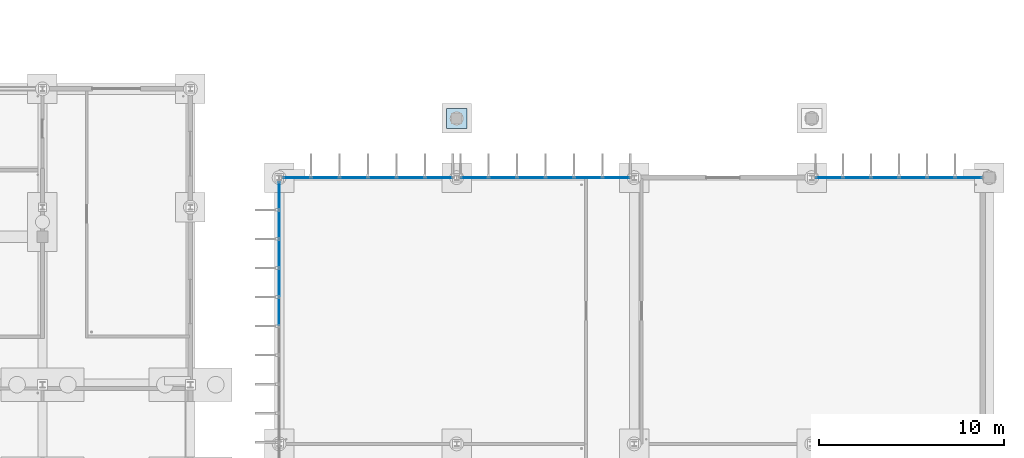
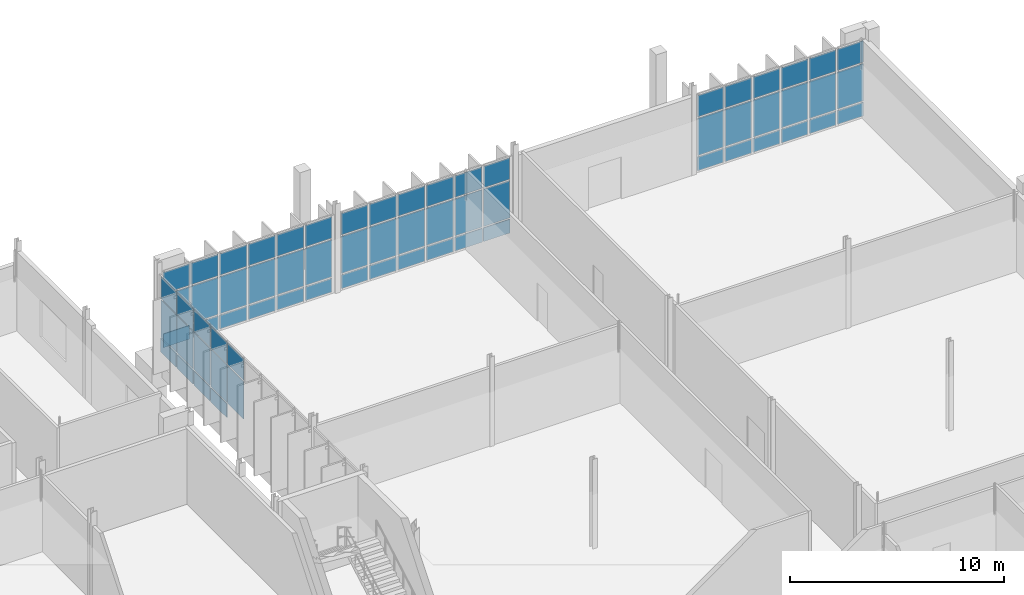
# One storey, part 50 of 111: 68 plates, 1 slab, 4 elements without a shape of their own.
"""IFC4 building model written with IfcOpenShell, lengths in metres."""

from ifc_helpers import new_model, si_unit, direction, frame, origin, origin_2d, place, context, subcontext, project, spatial, polyline, rectangle, outline, extrude, material, layer, layer_set, type_object, element, aggregate, save


model = new_model("IFC4")

# Units and contexts
model_context = context("Model", 3, precision=1e-05, world=origin(), true_north=direction((0.0, 1.0)))
body_context = subcontext(model_context, "Body", "Model", "MODEL_VIEW")
ifc_project = project(units=[si_unit("LENGTHUNIT", "METRE"), si_unit("AREAUNIT", "SQUARE_METRE"), si_unit("VOLUMEUNIT", "CUBIC_METRE"), si_unit("PLANEANGLEUNIT", "RADIAN"), si_unit("MASSUNIT", "GRAM", prefix="KILO")], contexts=[model_context])

# Site, building, storey
site_placement = place(None, origin())
site = spatial("IfcSite", under=ifc_project, at=site_placement, CompositionType="ELEMENT")
building_placement = place(site_placement, origin())
building = spatial("IfcBuilding", under=site, at=building_placement, Name="Dunescarp Central Library", CompositionType="ELEMENT")
storey_placement = place(building_placement, origin())
storey = spatial("IfcBuildingStorey", under=building, at=storey_placement, Name="L00", CompositionType="ELEMENT", Elevation=0.0)

# Curtain wall, plates
ifc_material_1 = material(Name="Marine-grade anodised aluminium 6063-T6", Category="aluminium")
curtain_wall_type = type_object("IfcCurtainWallType", Name="ARC-CW-STICK", PredefinedType="NOTDEFINED", material=ifc_material_1)
curtain_wall_1_placement = place(storey_placement, origin())
curtain_wall_1 = element("IfcCurtainWall", 1, at=curtain_wall_1_placement, inside=storey, type_object=curtain_wall_type, Name="L00 curtain wall CW-V5-149", PredefinedType="NOTDEFINED")
ifc_material_2 = material(Name="Solar-control laminated double glazing", Category="glass")
ifc_layer_1 = layer(ifc_material_2, 0.028076171875)
ifc_layer_set_1 = layer_set([ifc_layer_1], Name="Solar-control laminated double glazing")
plate_type_1 = type_object("IfcPlateType", Name="ARC-PLT-GLZ28", PredefinedType="CURTAIN_PANEL", material=ifc_layer_set_1)
plate_1_placement = place(storey_placement, frame((130.56591796875, 44.800048828125, 0.93994140625), z_axis=(0.0, 0.0, 1.0), x_axis=(1.0, 0.0, 0.0)))
plate_1 = element("IfcPlate", 2, at=plate_1_placement, type_object=plate_type_1, Name="CW-V5-149 panel 1.2", PredefinedType="CURTAIN_PANEL", context=body_context, shape_type="SweptSolid", body=[
    extrude(rectangle(XDim=1.421630859375, YDim=0.028076171875, at=origin_2d()), origin(), (0.0, 0.0, 1.0), 2.1201171875),
])
plate_2_placement = place(storey_placement, frame((130.56591796875, 44.800048828125, 3.14013671875), z_axis=(0.0, 0.0, 1.0), x_axis=(1.0, 0.0, 0.0)))
plate_2 = element("IfcPlate", 3, at=plate_2_placement, type_object=plate_type_1, Name="CW-V5-149 panel 1.3", PredefinedType="CURTAIN_PANEL", context=body_context, shape_type="SweptSolid", body=[
    extrude(rectangle(XDim=1.421630859375, YDim=0.028076171875, at=origin_2d()), origin(), (0.0, 0.0, 1.0), 1.221923828125),
])
plate_3_placement = place(storey_placement, frame((132.08740234375, 44.800048828125, 0.93994140625), z_axis=(0.0, 0.0, 1.0), x_axis=(1.0, 0.0, 0.0)))
plate_3 = element("IfcPlate", 4, at=plate_3_placement, type_object=plate_type_1, Name="CW-V5-149 panel 2.2", PredefinedType="CURTAIN_PANEL", context=body_context, shape_type="SweptSolid", body=[
    extrude(rectangle(XDim=1.461669921875, YDim=0.028076171875, at=origin_2d()), origin(), (0.0, 0.0, 1.0), 2.1201171875),
])
plate_4_placement = place(storey_placement, frame((132.08740234375, 44.800048828125, 3.14013671875), z_axis=(0.0, 0.0, 1.0), x_axis=(1.0, 0.0, 0.0)))
plate_4 = element("IfcPlate", 5, at=plate_4_placement, type_object=plate_type_1, Name="CW-V5-149 panel 2.3", PredefinedType="CURTAIN_PANEL", context=body_context, shape_type="SweptSolid", body=[
    extrude(rectangle(XDim=1.461669921875, YDim=0.028076171875, at=origin_2d()), origin(), (0.0, 0.0, 1.0), 1.221923828125),
])
plate_5_placement = place(storey_placement, frame((133.629150390625, 44.800048828125, 0.93994140625), z_axis=(0.0, 0.0, 1.0), x_axis=(1.0, 0.0, 0.0)))
plate_5 = element("IfcPlate", 6, at=plate_5_placement, type_object=plate_type_1, Name="CW-V5-149 panel 3.2", PredefinedType="CURTAIN_PANEL", context=body_context, shape_type="SweptSolid", body=[
    extrude(rectangle(XDim=1.461669921875, YDim=0.028076171875, at=origin_2d()), origin(), (0.0, 0.0, 1.0), 2.1201171875),
])
plate_6_placement = place(storey_placement, frame((133.629150390625, 44.800048828125, 3.14013671875), z_axis=(0.0, 0.0, 1.0), x_axis=(1.0, 0.0, 0.0)))
plate_6 = element("IfcPlate", 7, at=plate_6_placement, type_object=plate_type_1, Name="CW-V5-149 panel 3.3", PredefinedType="CURTAIN_PANEL", context=body_context, shape_type="SweptSolid", body=[
    extrude(rectangle(XDim=1.461669921875, YDim=0.028076171875, at=origin_2d()), origin(), (0.0, 0.0, 1.0), 1.221923828125),
])
plate_7_placement = place(storey_placement, frame((135.1708984375, 44.800048828125, 0.93994140625), z_axis=(0.0, 0.0, 1.0), x_axis=(1.0, 0.0, 0.0)))
plate_7 = element("IfcPlate", 8, at=plate_7_placement, type_object=plate_type_1, Name="CW-V5-149 panel 4.2", PredefinedType="CURTAIN_PANEL", context=body_context, shape_type="SweptSolid", body=[
    extrude(rectangle(XDim=1.461669921875, YDim=0.028076171875, at=origin_2d()), origin(), (0.0, 0.0, 1.0), 2.1201171875),
])
plate_8_placement = place(storey_placement, frame((135.1708984375, 44.800048828125, 3.14013671875), z_axis=(0.0, 0.0, 1.0), x_axis=(1.0, 0.0, 0.0)))
plate_8 = element("IfcPlate", 9, at=plate_8_placement, type_object=plate_type_1, Name="CW-V5-149 panel 4.3", PredefinedType="CURTAIN_PANEL", context=body_context, shape_type="SweptSolid", body=[
    extrude(rectangle(XDim=1.461669921875, YDim=0.028076171875, at=origin_2d()), origin(), (0.0, 0.0, 1.0), 1.221923828125),
])
plate_9_placement = place(storey_placement, frame((136.71240234375, 44.800048828125, 0.93994140625), z_axis=(0.0, 0.0, 1.0), x_axis=(1.0, 0.0, 0.0)))
plate_9 = element("IfcPlate", 10, at=plate_9_placement, type_object=plate_type_1, Name="CW-V5-149 panel 5.2", PredefinedType="CURTAIN_PANEL", context=body_context, shape_type="SweptSolid", body=[
    extrude(rectangle(XDim=1.461669921875, YDim=0.028076171875, at=origin_2d()), origin(), (0.0, 0.0, 1.0), 2.1201171875),
])
plate_10_placement = place(storey_placement, frame((136.71240234375, 44.800048828125, 3.14013671875), z_axis=(0.0, 0.0, 1.0), x_axis=(1.0, 0.0, 0.0)))
plate_10 = element("IfcPlate", 11, at=plate_10_placement, type_object=plate_type_1, Name="CW-V5-149 panel 5.3", PredefinedType="CURTAIN_PANEL", context=body_context, shape_type="SweptSolid", body=[
    extrude(rectangle(XDim=1.461669921875, YDim=0.028076171875, at=origin_2d()), origin(), (0.0, 0.0, 1.0), 1.221923828125),
])
plate_11_placement = place(storey_placement, frame((138.234130859375, 44.800048828125, 0.93994140625), z_axis=(0.0, 0.0, 1.0), x_axis=(1.0, 0.0, 0.0)))
plate_11 = element("IfcPlate", 12, at=plate_11_placement, type_object=plate_type_1, Name="CW-V5-149 panel 6.2", PredefinedType="CURTAIN_PANEL", context=body_context, shape_type="SweptSolid", body=[
    extrude(rectangle(XDim=1.421630859375, YDim=0.028076171875, at=origin_2d()), origin(), (0.0, 0.0, 1.0), 2.1201171875),
])
plate_12_placement = place(storey_placement, frame((138.234130859375, 44.800048828125, 3.14013671875), z_axis=(0.0, 0.0, 1.0), x_axis=(1.0, 0.0, 0.0)))
plate_12 = element("IfcPlate", 13, at=plate_12_placement, type_object=plate_type_1, Name="CW-V5-149 panel 6.3", PredefinedType="CURTAIN_PANEL", context=body_context, shape_type="SweptSolid", body=[
    extrude(rectangle(XDim=1.421630859375, YDim=0.028076171875, at=origin_2d()), origin(), (0.0, 0.0, 1.0), 1.221923828125),
])

curtain_wall_2_placement = place(storey_placement, origin())
curtain_wall_2 = element("IfcCurtainWall", 14, at=curtain_wall_2_placement, inside=storey, type_object=curtain_wall_type, Name="L00 curtain wall CW-V5-150", PredefinedType="NOTDEFINED")
plate_13_placement = place(storey_placement, frame((140.165771484375, 44.800048828125, 0.93994140625), z_axis=(0.0, 0.0, 1.0), x_axis=(1.0, 0.0, 0.0)))
plate_13 = element("IfcPlate", 15, at=plate_13_placement, type_object=plate_type_1, Name="CW-V5-150 panel 1.2", PredefinedType="CURTAIN_PANEL", context=body_context, shape_type="SweptSolid", body=[
    extrude(rectangle(XDim=1.421630859375, YDim=0.028076171875, at=origin_2d()), origin(), (0.0, 0.0, 1.0), 2.1201171875),
])
plate_14_placement = place(storey_placement, frame((140.165771484375, 44.800048828125, 3.14013671875), z_axis=(0.0, 0.0, 1.0), x_axis=(1.0, 0.0, 0.0)))
plate_14 = element("IfcPlate", 16, at=plate_14_placement, type_object=plate_type_1, Name="CW-V5-150 panel 1.3", PredefinedType="CURTAIN_PANEL", context=body_context, shape_type="SweptSolid", body=[
    extrude(rectangle(XDim=1.421630859375, YDim=0.028076171875, at=origin_2d()), origin(), (0.0, 0.0, 1.0), 1.221923828125),
])
plate_15_placement = place(storey_placement, frame((141.6875, 44.800048828125, 0.93994140625), z_axis=(0.0, 0.0, 1.0), x_axis=(1.0, 0.0, 0.0)))
plate_15 = element("IfcPlate", 17, at=plate_15_placement, type_object=plate_type_1, Name="CW-V5-150 panel 2.2", PredefinedType="CURTAIN_PANEL", context=body_context, shape_type="SweptSolid", body=[
    extrude(rectangle(XDim=1.461669921875, YDim=0.028076171875, at=origin_2d()), origin(), (0.0, 0.0, 1.0), 2.1201171875),
])
plate_16_placement = place(storey_placement, frame((141.6875, 44.800048828125, 3.14013671875), z_axis=(0.0, 0.0, 1.0), x_axis=(1.0, 0.0, 0.0)))
plate_16 = element("IfcPlate", 18, at=plate_16_placement, type_object=plate_type_1, Name="CW-V5-150 panel 2.3", PredefinedType="CURTAIN_PANEL", context=body_context, shape_type="SweptSolid", body=[
    extrude(rectangle(XDim=1.461669921875, YDim=0.028076171875, at=origin_2d()), origin(), (0.0, 0.0, 1.0), 1.221923828125),
])
plate_17_placement = place(storey_placement, frame((143.229248046875, 44.800048828125, 0.93994140625), z_axis=(0.0, 0.0, 1.0), x_axis=(1.0, 0.0, 0.0)))
plate_17 = element("IfcPlate", 19, at=plate_17_placement, type_object=plate_type_1, Name="CW-V5-150 panel 3.2", PredefinedType="CURTAIN_PANEL", context=body_context, shape_type="SweptSolid", body=[
    extrude(rectangle(XDim=1.461669921875, YDim=0.028076171875, at=origin_2d()), origin(), (0.0, 0.0, 1.0), 2.1201171875),
])
plate_18_placement = place(storey_placement, frame((143.229248046875, 44.800048828125, 3.14013671875), z_axis=(0.0, 0.0, 1.0), x_axis=(1.0, 0.0, 0.0)))
plate_18 = element("IfcPlate", 20, at=plate_18_placement, type_object=plate_type_1, Name="CW-V5-150 panel 3.3", PredefinedType="CURTAIN_PANEL", context=body_context, shape_type="SweptSolid", body=[
    extrude(rectangle(XDim=1.461669921875, YDim=0.028076171875, at=origin_2d()), origin(), (0.0, 0.0, 1.0), 1.221923828125),
])
plate_19_placement = place(storey_placement, frame((144.770751953125, 44.800048828125, 0.93994140625), z_axis=(0.0, 0.0, 1.0), x_axis=(1.0, 0.0, 0.0)))
plate_19 = element("IfcPlate", 21, at=plate_19_placement, type_object=plate_type_1, Name="CW-V5-150 panel 4.2", PredefinedType="CURTAIN_PANEL", context=body_context, shape_type="SweptSolid", body=[
    extrude(rectangle(XDim=1.461669921875, YDim=0.028076171875, at=origin_2d()), origin(), (0.0, 0.0, 1.0), 2.1201171875),
])
plate_20_placement = place(storey_placement, frame((144.770751953125, 44.800048828125, 3.14013671875), z_axis=(0.0, 0.0, 1.0), x_axis=(1.0, 0.0, 0.0)))
plate_20 = element("IfcPlate", 22, at=plate_20_placement, type_object=plate_type_1, Name="CW-V5-150 panel 4.3", PredefinedType="CURTAIN_PANEL", context=body_context, shape_type="SweptSolid", body=[
    extrude(rectangle(XDim=1.461669921875, YDim=0.028076171875, at=origin_2d()), origin(), (0.0, 0.0, 1.0), 1.221923828125),
])
plate_21_placement = place(storey_placement, frame((146.3125, 44.800048828125, 0.93994140625), z_axis=(0.0, 0.0, 1.0), x_axis=(1.0, 0.0, 0.0)))
plate_21 = element("IfcPlate", 23, at=plate_21_placement, type_object=plate_type_1, Name="CW-V5-150 panel 5.2", PredefinedType="CURTAIN_PANEL", context=body_context, shape_type="SweptSolid", body=[
    extrude(rectangle(XDim=1.461669921875, YDim=0.028076171875, at=origin_2d()), origin(), (0.0, 0.0, 1.0), 2.1201171875),
])
plate_22_placement = place(storey_placement, frame((146.3125, 44.800048828125, 3.14013671875), z_axis=(0.0, 0.0, 1.0), x_axis=(1.0, 0.0, 0.0)))
plate_22 = element("IfcPlate", 24, at=plate_22_placement, type_object=plate_type_1, Name="CW-V5-150 panel 5.3", PredefinedType="CURTAIN_PANEL", context=body_context, shape_type="SweptSolid", body=[
    extrude(rectangle(XDim=1.461669921875, YDim=0.028076171875, at=origin_2d()), origin(), (0.0, 0.0, 1.0), 1.221923828125),
])
plate_23_placement = place(storey_placement, frame((147.834228515625, 44.800048828125, 0.93994140625), z_axis=(0.0, 0.0, 1.0), x_axis=(1.0, 0.0, 0.0)))
plate_23 = element("IfcPlate", 25, at=plate_23_placement, type_object=plate_type_1, Name="CW-V5-150 panel 6.2", PredefinedType="CURTAIN_PANEL", context=body_context, shape_type="SweptSolid", body=[
    extrude(rectangle(XDim=1.421630859375, YDim=0.028076171875, at=origin_2d()), origin(), (0.0, 0.0, 1.0), 2.1201171875),
])
plate_24_placement = place(storey_placement, frame((147.834228515625, 44.800048828125, 3.14013671875), z_axis=(0.0, 0.0, 1.0), x_axis=(1.0, 0.0, 0.0)))
plate_24 = element("IfcPlate", 26, at=plate_24_placement, type_object=plate_type_1, Name="CW-V5-150 panel 6.3", PredefinedType="CURTAIN_PANEL", context=body_context, shape_type="SweptSolid", body=[
    extrude(rectangle(XDim=1.421630859375, YDim=0.028076171875, at=origin_2d()), origin(), (0.0, 0.0, 1.0), 1.221923828125),
])

curtain_wall_3_placement = place(storey_placement, origin())
curtain_wall_3 = element("IfcCurtainWall", 27, at=curtain_wall_3_placement, inside=storey, type_object=curtain_wall_type, Name="L00 curtain wall CW-V5-151", PredefinedType="NOTDEFINED")
plate_25_placement = place(storey_placement, frame((159.3525390625, 44.800048828125, 0.93994140625), z_axis=(0.0, 0.0, 1.0), x_axis=(1.0, 0.0, 0.0)))
plate_25 = element("IfcPlate", 28, at=plate_25_placement, type_object=plate_type_1, Name="CW-V5-151 panel 1.2", PredefinedType="CURTAIN_PANEL", context=body_context, shape_type="SweptSolid", body=[
    extrude(rectangle(XDim=1.39501953125, YDim=0.028076171875, at=origin_2d()), origin(), (0.0, 0.0, 1.0), 2.1201171875),
])
plate_26_placement = place(storey_placement, frame((159.3525390625, 44.800048828125, 3.14013671875), z_axis=(0.0, 0.0, 1.0), x_axis=(1.0, 0.0, 0.0)))
plate_26 = element("IfcPlate", 29, at=plate_26_placement, type_object=plate_type_1, Name="CW-V5-151 panel 1.3", PredefinedType="CURTAIN_PANEL", context=body_context, shape_type="SweptSolid", body=[
    extrude(rectangle(XDim=1.39501953125, YDim=0.028076171875, at=origin_2d()), origin(), (0.0, 0.0, 1.0), 1.221923828125),
])
plate_27_placement = place(storey_placement, frame((160.847412109375, 44.800048828125, 0.93994140625), z_axis=(0.0, 0.0, 1.0), x_axis=(1.0, 0.0, 0.0)))
plate_27 = element("IfcPlate", 30, at=plate_27_placement, type_object=plate_type_1, Name="CW-V5-151 panel 2.2", PredefinedType="CURTAIN_PANEL", context=body_context, shape_type="SweptSolid", body=[
    extrude(rectangle(XDim=1.43505859375, YDim=0.028076171875, at=origin_2d()), origin(), (0.0, 0.0, 1.0), 2.1201171875),
])
plate_28_placement = place(storey_placement, frame((160.847412109375, 44.800048828125, 3.14013671875), z_axis=(0.0, 0.0, 1.0), x_axis=(1.0, 0.0, 0.0)))
plate_28 = element("IfcPlate", 31, at=plate_28_placement, type_object=plate_type_1, Name="CW-V5-151 panel 2.3", PredefinedType="CURTAIN_PANEL", context=body_context, shape_type="SweptSolid", body=[
    extrude(rectangle(XDim=1.43505859375, YDim=0.028076171875, at=origin_2d()), origin(), (0.0, 0.0, 1.0), 1.221923828125),
])
plate_29_placement = place(storey_placement, frame((162.362548828125, 44.800048828125, 0.93994140625), z_axis=(0.0, 0.0, 1.0), x_axis=(1.0, 0.0, 0.0)))
plate_29 = element("IfcPlate", 32, at=plate_29_placement, type_object=plate_type_1, Name="CW-V5-151 panel 3.2", PredefinedType="CURTAIN_PANEL", context=body_context, shape_type="SweptSolid", body=[
    extrude(rectangle(XDim=1.43505859375, YDim=0.028076171875, at=origin_2d()), origin(), (0.0, 0.0, 1.0), 2.1201171875),
])
plate_30_placement = place(storey_placement, frame((162.362548828125, 44.800048828125, 3.14013671875), z_axis=(0.0, 0.0, 1.0), x_axis=(1.0, 0.0, 0.0)))
plate_30 = element("IfcPlate", 33, at=plate_30_placement, type_object=plate_type_1, Name="CW-V5-151 panel 3.3", PredefinedType="CURTAIN_PANEL", context=body_context, shape_type="SweptSolid", body=[
    extrude(rectangle(XDim=1.43505859375, YDim=0.028076171875, at=origin_2d()), origin(), (0.0, 0.0, 1.0), 1.221923828125),
])
plate_31_placement = place(storey_placement, frame((163.87744140625, 44.800048828125, 0.93994140625), z_axis=(0.0, 0.0, 1.0), x_axis=(1.0, 0.0, 0.0)))
plate_31 = element("IfcPlate", 34, at=plate_31_placement, type_object=plate_type_1, Name="CW-V5-151 panel 4.2", PredefinedType="CURTAIN_PANEL", context=body_context, shape_type="SweptSolid", body=[
    extrude(rectangle(XDim=1.43505859375, YDim=0.028076171875, at=origin_2d()), origin(), (0.0, 0.0, 1.0), 2.1201171875),
])
plate_32_placement = place(storey_placement, frame((163.87744140625, 44.800048828125, 3.14013671875), z_axis=(0.0, 0.0, 1.0), x_axis=(1.0, 0.0, 0.0)))
plate_32 = element("IfcPlate", 35, at=plate_32_placement, type_object=plate_type_1, Name="CW-V5-151 panel 4.3", PredefinedType="CURTAIN_PANEL", context=body_context, shape_type="SweptSolid", body=[
    extrude(rectangle(XDim=1.43505859375, YDim=0.028076171875, at=origin_2d()), origin(), (0.0, 0.0, 1.0), 1.221923828125),
])
plate_33_placement = place(storey_placement, frame((165.392578125, 44.800048828125, 0.93994140625), z_axis=(0.0, 0.0, 1.0), x_axis=(1.0, 0.0, 0.0)))
plate_33 = element("IfcPlate", 36, at=plate_33_placement, type_object=plate_type_1, Name="CW-V5-151 panel 5.2", PredefinedType="CURTAIN_PANEL", context=body_context, shape_type="SweptSolid", body=[
    extrude(rectangle(XDim=1.43505859375, YDim=0.028076171875, at=origin_2d()), origin(), (0.0, 0.0, 1.0), 2.1201171875),
])
plate_34_placement = place(storey_placement, frame((165.392578125, 44.800048828125, 3.14013671875), z_axis=(0.0, 0.0, 1.0), x_axis=(1.0, 0.0, 0.0)))
plate_34 = element("IfcPlate", 37, at=plate_34_placement, type_object=plate_type_1, Name="CW-V5-151 panel 5.3", PredefinedType="CURTAIN_PANEL", context=body_context, shape_type="SweptSolid", body=[
    extrude(rectangle(XDim=1.43505859375, YDim=0.028076171875, at=origin_2d()), origin(), (0.0, 0.0, 1.0), 1.221923828125),
])
plate_35_placement = place(storey_placement, frame((166.887451171875, 44.800048828125, 0.93994140625), z_axis=(0.0, 0.0, 1.0), x_axis=(1.0, 0.0, 0.0)))
plate_35 = element("IfcPlate", 38, at=plate_35_placement, type_object=plate_type_1, Name="CW-V5-151 panel 6.2", PredefinedType="CURTAIN_PANEL", context=body_context, shape_type="SweptSolid", body=[
    extrude(rectangle(XDim=1.39501953125, YDim=0.028076171875, at=origin_2d()), origin(), (0.0, 0.0, 1.0), 2.1201171875),
])
plate_36_placement = place(storey_placement, frame((166.887451171875, 44.800048828125, 3.14013671875), z_axis=(0.0, 0.0, 1.0), x_axis=(1.0, 0.0, 0.0)))
plate_36 = element("IfcPlate", 39, at=plate_36_placement, type_object=plate_type_1, Name="CW-V5-151 panel 6.3", PredefinedType="CURTAIN_PANEL", context=body_context, shape_type="SweptSolid", body=[
    extrude(rectangle(XDim=1.39501953125, YDim=0.028076171875, at=origin_2d()), origin(), (0.0, 0.0, 1.0), 1.221923828125),
])

curtain_wall_4_placement = place(storey_placement, origin())
curtain_wall_4 = element("IfcCurtainWall", 40, at=curtain_wall_4_placement, inside=storey, type_object=curtain_wall_type, Name="L00 curtain wall CW-V5-152", PredefinedType="NOTDEFINED")
plate_37_placement = place(storey_placement, frame((129.60009765625, 37.55615234375, 0.93994140625), z_axis=(0.0, 0.0, 1.0), x_axis=(0.0, 1.0, 0.0)))
plate_37 = element("IfcPlate", 41, at=plate_37_placement, type_object=plate_type_1, Name="CW-V5-152 panel 8.2", PredefinedType="CURTAIN_PANEL", context=body_context, shape_type="SweptSolid", body=[
    extrude(rectangle(XDim=1.49072265625, YDim=0.028076171875, at=origin_2d()), origin(), (0.0, 0.0, 1.0), 2.1201171875),
])
plate_38_placement = place(storey_placement, frame((129.60009765625, 37.55615234375, 3.14013671875), z_axis=(0.0, 0.0, 1.0), x_axis=(0.0, 1.0, 0.0)))
plate_38 = element("IfcPlate", 42, at=plate_38_placement, type_object=plate_type_1, Name="CW-V5-152 panel 8.3", PredefinedType="CURTAIN_PANEL", context=body_context, shape_type="SweptSolid", body=[
    extrude(rectangle(XDim=1.49072265625, YDim=0.028076171875, at=origin_2d()), origin(), (0.0, 0.0, 1.0), 1.221923828125),
])
plate_39_placement = place(storey_placement, frame((129.60009765625, 39.127197265625, 0.93994140625), z_axis=(0.0, 0.0, 1.0), x_axis=(0.0, 1.0, 0.0)))
plate_39 = element("IfcPlate", 43, at=plate_39_placement, type_object=plate_type_1, Name="CW-V5-152 panel 9.2", PredefinedType="CURTAIN_PANEL", context=body_context, shape_type="SweptSolid", body=[
    extrude(rectangle(XDim=1.49072265625, YDim=0.028076171875, at=origin_2d()), origin(), (0.0, 0.0, 1.0), 2.1201171875),
])
plate_40_placement = place(storey_placement, frame((129.60009765625, 39.127197265625, 3.14013671875), z_axis=(0.0, 0.0, 1.0), x_axis=(0.0, 1.0, 0.0)))
plate_40 = element("IfcPlate", 44, at=plate_40_placement, type_object=plate_type_1, Name="CW-V5-152 panel 9.3", PredefinedType="CURTAIN_PANEL", context=body_context, shape_type="SweptSolid", body=[
    extrude(rectangle(XDim=1.49072265625, YDim=0.028076171875, at=origin_2d()), origin(), (0.0, 0.0, 1.0), 1.221923828125),
])
plate_41_placement = place(storey_placement, frame((129.60009765625, 40.697998046875, 0.93994140625), z_axis=(0.0, 0.0, 1.0), x_axis=(0.0, 1.0, 0.0)))
plate_41 = element("IfcPlate", 45, at=plate_41_placement, type_object=plate_type_1, Name="CW-V5-152 panel 10.2", PredefinedType="CURTAIN_PANEL", context=body_context, shape_type="SweptSolid", body=[
    extrude(rectangle(XDim=1.49072265625, YDim=0.028076171875, at=origin_2d()), origin(), (0.0, 0.0, 1.0), 2.1201171875),
])
plate_42_placement = place(storey_placement, frame((129.60009765625, 40.697998046875, 3.14013671875), z_axis=(0.0, 0.0, 1.0), x_axis=(0.0, 1.0, 0.0)))
plate_42 = element("IfcPlate", 46, at=plate_42_placement, type_object=plate_type_1, Name="CW-V5-152 panel 10.3", PredefinedType="CURTAIN_PANEL", context=body_context, shape_type="SweptSolid", body=[
    extrude(rectangle(XDim=1.49072265625, YDim=0.028076171875, at=origin_2d()), origin(), (0.0, 0.0, 1.0), 1.221923828125),
])
plate_43_placement = place(storey_placement, frame((129.60009765625, 42.268798828125, 0.93994140625), z_axis=(0.0, 0.0, 1.0), x_axis=(0.0, 1.0, 0.0)))
plate_43 = element("IfcPlate", 47, at=plate_43_placement, type_object=plate_type_1, Name="CW-V5-152 panel 11.2", PredefinedType="CURTAIN_PANEL", context=body_context, shape_type="SweptSolid", body=[
    extrude(rectangle(XDim=1.49072265625, YDim=0.028076171875, at=origin_2d()), origin(), (0.0, 0.0, 1.0), 2.1201171875),
])
plate_44_placement = place(storey_placement, frame((129.60009765625, 42.268798828125, 3.14013671875), z_axis=(0.0, 0.0, 1.0), x_axis=(0.0, 1.0, 0.0)))
plate_44 = element("IfcPlate", 48, at=plate_44_placement, type_object=plate_type_1, Name="CW-V5-152 panel 11.3", PredefinedType="CURTAIN_PANEL", context=body_context, shape_type="SweptSolid", body=[
    extrude(rectangle(XDim=1.49072265625, YDim=0.028076171875, at=origin_2d()), origin(), (0.0, 0.0, 1.0), 1.221923828125),
])
plate_45_placement = place(storey_placement, frame((129.60009765625, 43.819580078125, 0.93994140625), z_axis=(0.0, 0.0, 1.0), x_axis=(0.0, 1.0, 0.0)))
plate_45 = element("IfcPlate", 49, at=plate_45_placement, type_object=plate_type_1, Name="CW-V5-152 panel 12.2", PredefinedType="CURTAIN_PANEL", context=body_context, shape_type="SweptSolid", body=[
    extrude(rectangle(XDim=1.450927734375, YDim=0.028076171875, at=origin_2d()), origin(), (0.0, 0.0, 1.0), 2.1201171875),
])
plate_46_placement = place(storey_placement, frame((129.60009765625, 43.819580078125, 3.14013671875), z_axis=(0.0, 0.0, 1.0), x_axis=(0.0, 1.0, 0.0)))
plate_46 = element("IfcPlate", 50, at=plate_46_placement, type_object=plate_type_1, Name="CW-V5-152 panel 12.3", PredefinedType="CURTAIN_PANEL", context=body_context, shape_type="SweptSolid", body=[
    extrude(rectangle(XDim=1.450927734375, YDim=0.028076171875, at=origin_2d()), origin(), (0.0, 0.0, 1.0), 1.221923828125),
])

# Plate
ifc_layer_2 = layer(ifc_material_1, 0.050048828125)
ifc_layer_set_2 = layer_set([ifc_layer_2], Name="Marine-grade anodised aluminium 6063-T6")
plate_type_2 = type_object("IfcPlateType", Name="ARC-PLT-SPN50", PredefinedType="SHEET", material=ifc_layer_set_2)
plate_47_placement = place(storey_placement, frame((130.56591796875, 44.800048828125, 0.080078125), z_axis=(0.0, 0.0, 1.0), x_axis=(1.0, 0.0, 0.0)))
plate_47 = element("IfcPlate", 51, at=plate_47_placement, type_object=plate_type_2, Name="CW-V5-149 panel 1.1", PredefinedType="SHEET", context=body_context, shape_type="SweptSolid", body=[
    extrude(rectangle(XDim=1.421630859375, YDim=0.050048828125, at=origin_2d()), origin(), (0.0, 0.0, 1.0), 0.780029296875),
])

plate_48_placement = place(storey_placement, frame((132.08740234375, 44.800048828125, 0.080078125), z_axis=(0.0, 0.0, 1.0), x_axis=(1.0, 0.0, 0.0)))
plate_48 = element("IfcPlate", 52, at=plate_48_placement, type_object=plate_type_2, Name="CW-V5-149 panel 2.1", PredefinedType="SHEET", context=body_context, shape_type="SweptSolid", body=[
    extrude(rectangle(XDim=1.461669921875, YDim=0.050048828125, at=origin_2d()), origin(), (0.0, 0.0, 1.0), 0.780029296875),
])

plate_49_placement = place(storey_placement, frame((133.629150390625, 44.800048828125, 0.080078125), z_axis=(0.0, 0.0, 1.0), x_axis=(1.0, 0.0, 0.0)))
plate_49 = element("IfcPlate", 53, at=plate_49_placement, type_object=plate_type_2, Name="CW-V5-149 panel 3.1", PredefinedType="SHEET", context=body_context, shape_type="SweptSolid", body=[
    extrude(rectangle(XDim=1.461669921875, YDim=0.050048828125, at=origin_2d()), origin(), (0.0, 0.0, 1.0), 0.780029296875),
])

plate_50_placement = place(storey_placement, frame((135.1708984375, 44.800048828125, 0.080078125), z_axis=(0.0, 0.0, 1.0), x_axis=(1.0, 0.0, 0.0)))
plate_50 = element("IfcPlate", 54, at=plate_50_placement, type_object=plate_type_2, Name="CW-V5-149 panel 4.1", PredefinedType="SHEET", context=body_context, shape_type="SweptSolid", body=[
    extrude(rectangle(XDim=1.461669921875, YDim=0.050048828125, at=origin_2d()), origin(), (0.0, 0.0, 1.0), 0.780029296875),
])

plate_51_placement = place(storey_placement, frame((136.71240234375, 44.800048828125, 0.080078125), z_axis=(0.0, 0.0, 1.0), x_axis=(1.0, 0.0, 0.0)))
plate_51 = element("IfcPlate", 55, at=plate_51_placement, type_object=plate_type_2, Name="CW-V5-149 panel 5.1", PredefinedType="SHEET", context=body_context, shape_type="SweptSolid", body=[
    extrude(rectangle(XDim=1.461669921875, YDim=0.050048828125, at=origin_2d()), origin(), (0.0, 0.0, 1.0), 0.780029296875),
])

plate_52_placement = place(storey_placement, frame((138.234130859375, 44.800048828125, 0.080078125), z_axis=(0.0, 0.0, 1.0), x_axis=(1.0, 0.0, 0.0)))
plate_52 = element("IfcPlate", 56, at=plate_52_placement, type_object=plate_type_2, Name="CW-V5-149 panel 6.1", PredefinedType="SHEET", context=body_context, shape_type="SweptSolid", body=[
    extrude(rectangle(XDim=1.421630859375, YDim=0.050048828125, at=origin_2d()), origin(), (0.0, 0.0, 1.0), 0.780029296875),
])

aggregate(curtain_wall_1, [plate_47, plate_1, plate_2, plate_48, plate_3, plate_4, plate_49, plate_5, plate_6, plate_50, plate_7, plate_8, plate_51, plate_9, plate_10, plate_52, plate_11, plate_12])

plate_53_placement = place(storey_placement, frame((140.165771484375, 44.800048828125, 0.080078125), z_axis=(0.0, 0.0, 1.0), x_axis=(1.0, 0.0, 0.0)))
plate_53 = element("IfcPlate", 57, at=plate_53_placement, type_object=plate_type_2, Name="CW-V5-150 panel 1.1", PredefinedType="SHEET", context=body_context, shape_type="SweptSolid", body=[
    extrude(rectangle(XDim=1.421630859375, YDim=0.050048828125, at=origin_2d()), origin(), (0.0, 0.0, 1.0), 0.780029296875),
])

plate_54_placement = place(storey_placement, frame((141.6875, 44.800048828125, 0.080078125), z_axis=(0.0, 0.0, 1.0), x_axis=(1.0, 0.0, 0.0)))
plate_54 = element("IfcPlate", 58, at=plate_54_placement, type_object=plate_type_2, Name="CW-V5-150 panel 2.1", PredefinedType="SHEET", context=body_context, shape_type="SweptSolid", body=[
    extrude(rectangle(XDim=1.461669921875, YDim=0.050048828125, at=origin_2d()), origin(), (0.0, 0.0, 1.0), 0.780029296875),
])

plate_55_placement = place(storey_placement, frame((143.229248046875, 44.800048828125, 0.080078125), z_axis=(0.0, 0.0, 1.0), x_axis=(1.0, 0.0, 0.0)))
plate_55 = element("IfcPlate", 59, at=plate_55_placement, type_object=plate_type_2, Name="CW-V5-150 panel 3.1", PredefinedType="SHEET", context=body_context, shape_type="SweptSolid", body=[
    extrude(rectangle(XDim=1.461669921875, YDim=0.050048828125, at=origin_2d()), origin(), (0.0, 0.0, 1.0), 0.780029296875),
])

plate_56_placement = place(storey_placement, frame((144.770751953125, 44.800048828125, 0.080078125), z_axis=(0.0, 0.0, 1.0), x_axis=(1.0, 0.0, 0.0)))
plate_56 = element("IfcPlate", 60, at=plate_56_placement, type_object=plate_type_2, Name="CW-V5-150 panel 4.1", PredefinedType="SHEET", context=body_context, shape_type="SweptSolid", body=[
    extrude(rectangle(XDim=1.461669921875, YDim=0.050048828125, at=origin_2d()), origin(), (0.0, 0.0, 1.0), 0.780029296875),
])

plate_57_placement = place(storey_placement, frame((146.3125, 44.800048828125, 0.080078125), z_axis=(0.0, 0.0, 1.0), x_axis=(1.0, 0.0, 0.0)))
plate_57 = element("IfcPlate", 61, at=plate_57_placement, type_object=plate_type_2, Name="CW-V5-150 panel 5.1", PredefinedType="SHEET", context=body_context, shape_type="SweptSolid", body=[
    extrude(rectangle(XDim=1.461669921875, YDim=0.050048828125, at=origin_2d()), origin(), (0.0, 0.0, 1.0), 0.780029296875),
])

plate_58_placement = place(storey_placement, frame((147.834228515625, 44.800048828125, 0.080078125), z_axis=(0.0, 0.0, 1.0), x_axis=(1.0, 0.0, 0.0)))
plate_58 = element("IfcPlate", 62, at=plate_58_placement, type_object=plate_type_2, Name="CW-V5-150 panel 6.1", PredefinedType="SHEET", context=body_context, shape_type="SweptSolid", body=[
    extrude(rectangle(XDim=1.421630859375, YDim=0.050048828125, at=origin_2d()), origin(), (0.0, 0.0, 1.0), 0.780029296875),
])

aggregate(curtain_wall_2, [plate_53, plate_13, plate_14, plate_54, plate_15, plate_16, plate_55, plate_17, plate_18, plate_56, plate_19, plate_20, plate_57, plate_21, plate_22, plate_58, plate_23, plate_24])

plate_59_placement = place(storey_placement, frame((159.3525390625, 44.800048828125, 0.080078125), z_axis=(0.0, 0.0, 1.0), x_axis=(1.0, 0.0, 0.0)))
plate_59 = element("IfcPlate", 63, at=plate_59_placement, type_object=plate_type_2, Name="CW-V5-151 panel 1.1", PredefinedType="SHEET", context=body_context, shape_type="SweptSolid", body=[
    extrude(rectangle(XDim=1.39501953125, YDim=0.050048828125, at=origin_2d()), origin(), (0.0, 0.0, 1.0), 0.780029296875),
])

plate_60_placement = place(storey_placement, frame((160.847412109375, 44.800048828125, 0.080078125), z_axis=(0.0, 0.0, 1.0), x_axis=(1.0, 0.0, 0.0)))
plate_60 = element("IfcPlate", 64, at=plate_60_placement, type_object=plate_type_2, Name="CW-V5-151 panel 2.1", PredefinedType="SHEET", context=body_context, shape_type="SweptSolid", body=[
    extrude(rectangle(XDim=1.43505859375, YDim=0.050048828125, at=origin_2d()), origin(), (0.0, 0.0, 1.0), 0.780029296875),
])

plate_61_placement = place(storey_placement, frame((162.362548828125, 44.800048828125, 0.080078125), z_axis=(0.0, 0.0, 1.0), x_axis=(1.0, 0.0, 0.0)))
plate_61 = element("IfcPlate", 65, at=plate_61_placement, type_object=plate_type_2, Name="CW-V5-151 panel 3.1", PredefinedType="SHEET", context=body_context, shape_type="SweptSolid", body=[
    extrude(rectangle(XDim=1.43505859375, YDim=0.050048828125, at=origin_2d()), origin(), (0.0, 0.0, 1.0), 0.780029296875),
])

plate_62_placement = place(storey_placement, frame((163.87744140625, 44.800048828125, 0.080078125), z_axis=(0.0, 0.0, 1.0), x_axis=(1.0, 0.0, 0.0)))
plate_62 = element("IfcPlate", 66, at=plate_62_placement, type_object=plate_type_2, Name="CW-V5-151 panel 4.1", PredefinedType="SHEET", context=body_context, shape_type="SweptSolid", body=[
    extrude(rectangle(XDim=1.43505859375, YDim=0.050048828125, at=origin_2d()), origin(), (0.0, 0.0, 1.0), 0.780029296875),
])

plate_63_placement = place(storey_placement, frame((165.392578125, 44.800048828125, 0.080078125), z_axis=(0.0, 0.0, 1.0), x_axis=(1.0, 0.0, 0.0)))
plate_63 = element("IfcPlate", 67, at=plate_63_placement, type_object=plate_type_2, Name="CW-V5-151 panel 5.1", PredefinedType="SHEET", context=body_context, shape_type="SweptSolid", body=[
    extrude(rectangle(XDim=1.43505859375, YDim=0.050048828125, at=origin_2d()), origin(), (0.0, 0.0, 1.0), 0.780029296875),
])

plate_64_placement = place(storey_placement, frame((166.887451171875, 44.800048828125, 0.080078125), z_axis=(0.0, 0.0, 1.0), x_axis=(1.0, 0.0, 0.0)))
plate_64 = element("IfcPlate", 68, at=plate_64_placement, type_object=plate_type_2, Name="CW-V5-151 panel 6.1", PredefinedType="SHEET", context=body_context, shape_type="SweptSolid", body=[
    extrude(rectangle(XDim=1.39501953125, YDim=0.050048828125, at=origin_2d()), origin(), (0.0, 0.0, 1.0), 0.780029296875),
])

aggregate(curtain_wall_3, [plate_59, plate_25, plate_26, plate_60, plate_27, plate_28, plate_61, plate_29, plate_30, plate_62, plate_31, plate_32, plate_63, plate_33, plate_34, plate_64, plate_35, plate_36])

plate_65_placement = place(storey_placement, frame((129.60009765625, 39.127197265625, 0.080078125), z_axis=(0.0, 0.0, 1.0), x_axis=(0.0, 1.0, 0.0)))
plate_65 = element("IfcPlate", 69, at=plate_65_placement, type_object=plate_type_2, Name="CW-V5-152 panel 9.1", PredefinedType="SHEET", context=body_context, shape_type="SweptSolid", body=[
    extrude(rectangle(XDim=1.49072265625, YDim=0.050048828125, at=origin_2d()), origin(), (0.0, 0.0, 1.0), 0.780029296875),
])

plate_66_placement = place(storey_placement, frame((129.60009765625, 40.697998046875, 0.080078125), z_axis=(0.0, 0.0, 1.0), x_axis=(0.0, 1.0, 0.0)))
plate_66 = element("IfcPlate", 70, at=plate_66_placement, type_object=plate_type_2, Name="CW-V5-152 panel 10.1", PredefinedType="SHEET", context=body_context, shape_type="SweptSolid", body=[
    extrude(rectangle(XDim=1.49072265625, YDim=0.050048828125, at=origin_2d()), origin(), (0.0, 0.0, 1.0), 0.780029296875),
])

plate_67_placement = place(storey_placement, frame((129.60009765625, 42.268798828125, 0.080078125), z_axis=(0.0, 0.0, 1.0), x_axis=(0.0, 1.0, 0.0)))
plate_67 = element("IfcPlate", 71, at=plate_67_placement, type_object=plate_type_2, Name="CW-V5-152 panel 11.1", PredefinedType="SHEET", context=body_context, shape_type="SweptSolid", body=[
    extrude(rectangle(XDim=1.49072265625, YDim=0.050048828125, at=origin_2d()), origin(), (0.0, 0.0, 1.0), 0.780029296875),
])

plate_68_placement = place(storey_placement, frame((129.60009765625, 43.819580078125, 0.080078125), z_axis=(0.0, 0.0, 1.0), x_axis=(0.0, 1.0, 0.0)))
plate_68 = element("IfcPlate", 72, at=plate_68_placement, type_object=plate_type_2, Name="CW-V5-152 panel 12.1", PredefinedType="SHEET", context=body_context, shape_type="SweptSolid", body=[
    extrude(rectangle(XDim=1.450927734375, YDim=0.050048828125, at=origin_2d()), origin(), (0.0, 0.0, 1.0), 0.780029296875),
])

aggregate(curtain_wall_4, [plate_37, plate_38, plate_65, plate_39, plate_40, plate_66, plate_41, plate_42, plate_67, plate_43, plate_44, plate_68, plate_45, plate_46])

# Slab
ifc_material_3 = material(Name="Concrete C35/45", Category="concrete")
ifc_layer_3 = layer(ifc_material_3, 0.300048828125)
ifc_layer_set_3 = layer_set([ifc_layer_3], Name="Concrete C35/45")
slab_type = type_object("IfcSlabType", Name="STR-SLB-BASE300", PredefinedType="BASESLAB", material=ifc_layer_set_3)
slab_placement = place(storey_placement, frame((0.0, 0.0, -0.300048828125)))
element("IfcSlab", 73, at=slab_placement, inside=storey, type_object=slab_type, Name="Exterior terrace post plinth TPAD-03", PredefinedType="BASESLAB", context=body_context, shape_type="SweptSolid", body=[
    extrude(outline(polyline([(138.64990234375, 47.449951171875), (139.75, 47.449951171875), (139.75, 48.550048828125), (138.64990234375, 48.550048828125), (138.64990234375, 47.449951171875)])), origin(), (0.0, 0.0, 1.0), 0.300048828125),
])

save(model, "model.ifc")
